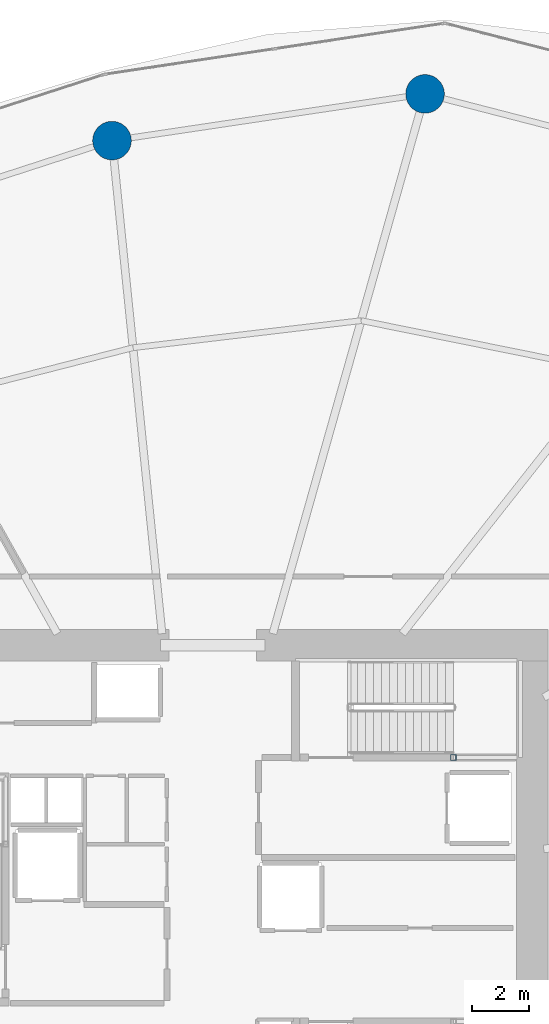
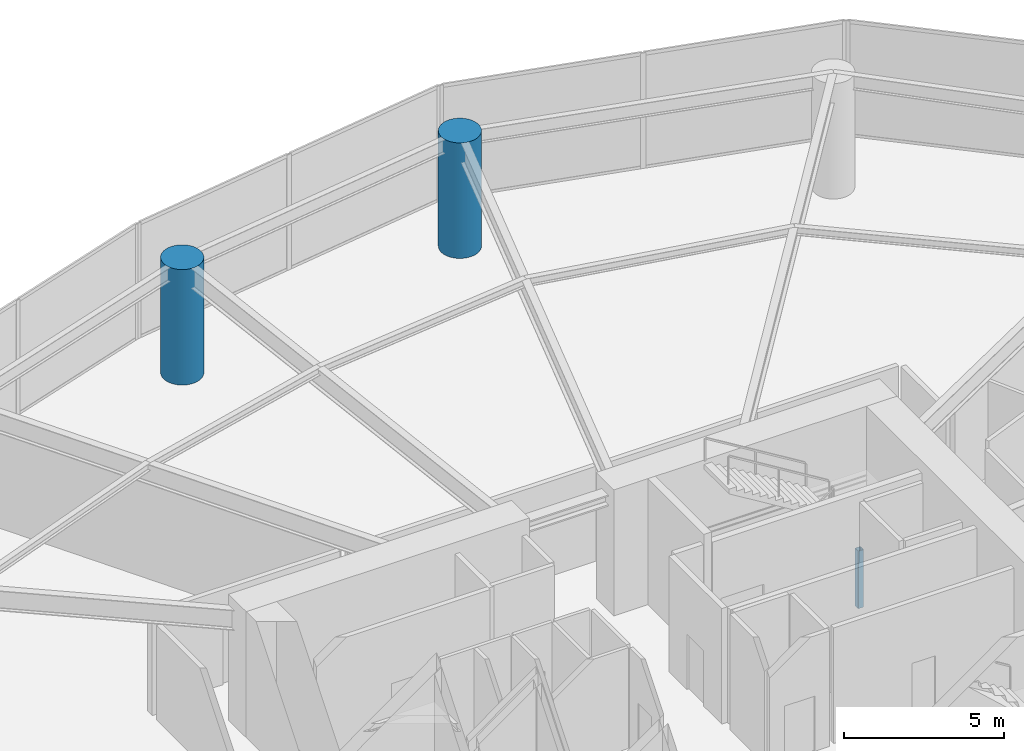
# One storey, part 5 of 22: 3 columns.
"""IFC4 building model written with IfcOpenShell, lengths in metres."""

from ifc_helpers import new_model, si_unit, direction, frame, origin, origin_2d, place, context, subcontext, project, spatial, hollow_rectangle, circle, extrude, material, material_profile, profile_set, type_object, element, save


model = new_model("IFC4")

# Units and contexts
model_context = context("Model", 3, precision=1e-05, world=origin(), true_north=direction((0.0, 1.0)))
body_context = subcontext(model_context, "Body", "Model", "MODEL_VIEW")
ifc_project = project(units=[si_unit("LENGTHUNIT", "METRE"), si_unit("AREAUNIT", "SQUARE_METRE"), si_unit("VOLUMEUNIT", "CUBIC_METRE"), si_unit("PLANEANGLEUNIT", "RADIAN"), si_unit("MASSUNIT", "GRAM", prefix="KILO")], contexts=[model_context])

# Site, building, storey
site_placement = place(None, origin())
site = spatial("IfcSite", under=ifc_project, at=site_placement, CompositionType="ELEMENT")
building_placement = place(site_placement, origin())
building = spatial("IfcBuilding", under=site, at=building_placement, Name="Kazma Halo Residences", CompositionType="ELEMENT")
storey_placement = place(building_placement, frame((0.0, 0.0, 16.800048828125)))
storey = spatial("IfcBuildingStorey", under=building, at=storey_placement, Name="L03", CompositionType="ELEMENT", Elevation=16.800048828125)

# Columns
ifc_material_1 = material(Name="Steel S355", Category="steel")
ifc_material_profile_1 = material_profile(ifc_material_1, hollow_rectangle(XDim=0.199951171875, YDim=0.199951171875, WallThickness=0.010009765625, InnerFilletRadius=0.010009765625, OuterFilletRadius=0.02001953125, at=origin_2d()), Name="SHS200x200x10")
ifc_profile_set_1 = profile_set([ifc_material_profile_1], Name="Steel S355")
column_type_1 = type_object("IfcColumnType", Name="COL-LP-SHS200", PredefinedType="COLUMN", material=ifc_profile_set_1)
column_placement = place(storey_placement, frame((56.840087890625, 46.6201171875, 0.0), z_axis=(0.0, 0.0, 1.0), x_axis=(1.0, 0.0, 0.0)))
element("IfcColumn", 1, at=column_placement, inside=storey, type_object=column_type_1, Name="L03 ST-02 landing pilaster 1", PredefinedType="COLUMN", context=body_context, shape_type="SweptSolid", body=[
    extrude(hollow_rectangle(XDim=0.199951171875, YDim=0.199951171875, WallThickness=0.010009765625, InnerFilletRadius=0.010009765625, OuterFilletRadius=0.02001953125, at=origin_2d()), origin(), (0.0, 0.0, 1.0), 2.195068359375),
])
ifc_material_2 = material(Name="Concrete C80/95", Category="concrete")
ifc_material_profile_2 = material_profile(ifc_material_2, circle(Radius=0.675048828125, at=origin_2d()), Name="CIRC1350")
ifc_profile_set_2 = profile_set([ifc_material_profile_2], Name="Concrete C80/95")
column_type_2 = type_object("IfcColumnType", Name="COL-PERIM-1350", PredefinedType="COLUMN", material=ifc_profile_set_2)
for number, where, z_axis, x_axis, name in (
    (2, (55.84912109375, 69.831298828125, 0.0), (0.0, 0.0, 1.0), (1.0, 0.0, 0.0), "L03 perimeter ring column P03"),
    (3, (44.8994140625, 68.196044921875, 0.0), (0.0, 0.0, 1.0), (1.0, 0.0, 0.0), "L03 perimeter ring column P04"),
):
    element("IfcColumn", number, at=place(storey_placement, frame(where, z_axis=z_axis, x_axis=x_axis)), inside=storey, type_object=column_type_2, Name=name, PredefinedType="COLUMN", context=body_context, shape_type="SweptSolid", body=[
        extrude(circle(Radius=0.675048828125, at=origin_2d()), origin(), (0.0, 0.0, 1.0), 4.39990234375),
    ])

save(model, "model.ifc")
